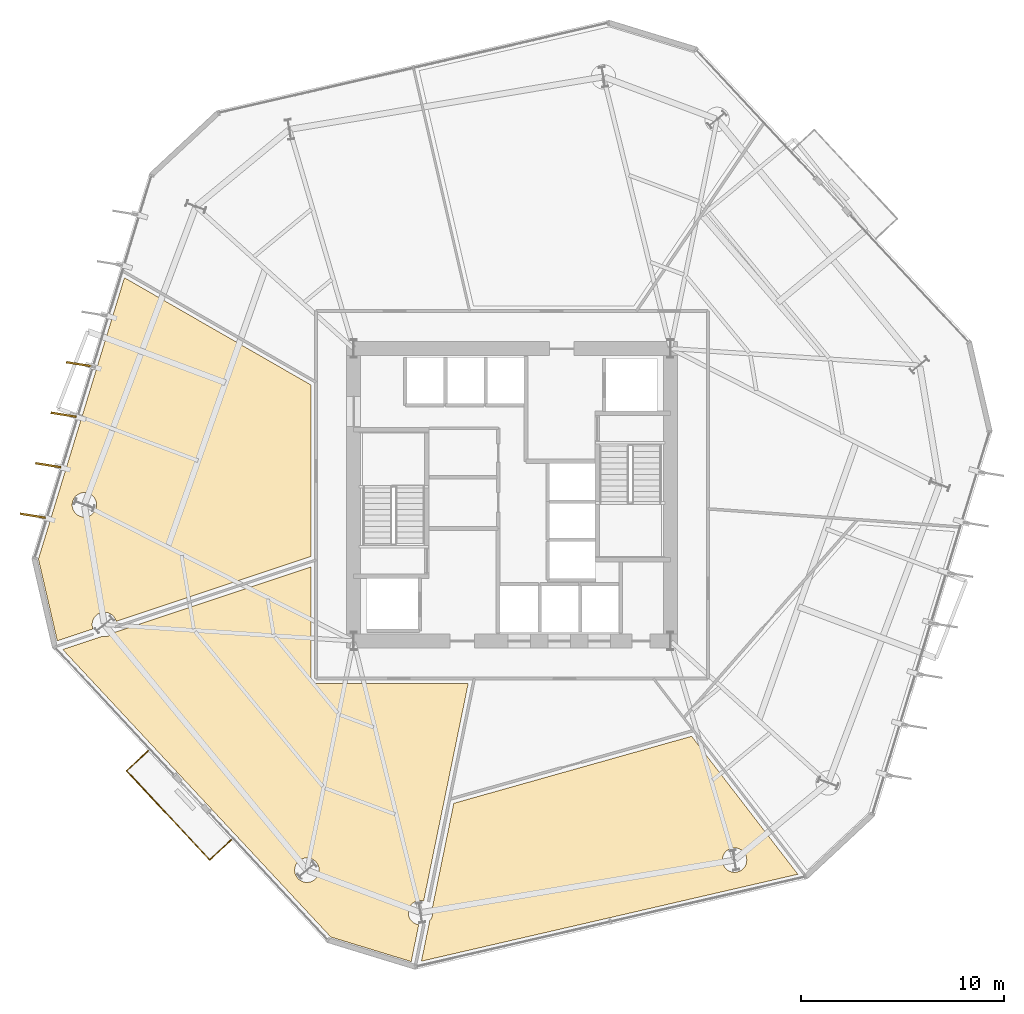
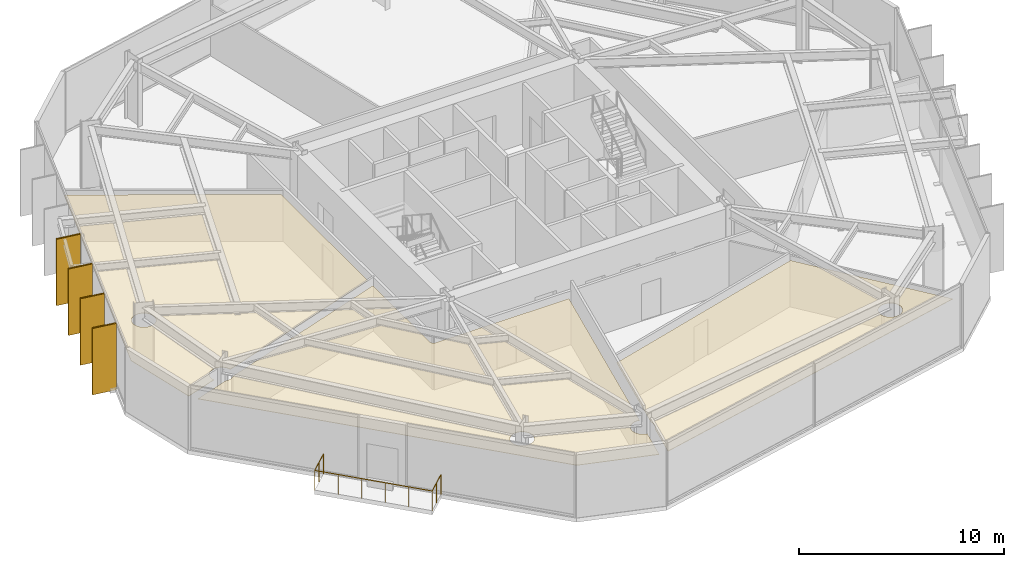
# One storey, part 8 of 10: 7 coverings, 4 shading devices, 1 railing.
"""IFC4 building model written with IfcOpenShell, lengths in metres."""

from ifc_helpers import new_model, si_unit, direction, frame, origin, origin_2d, place, context, subcontext, project, spatial, polyline, rectangle, circle, outline, extrude, material, layer, layer_set, type_object, element, save


model = new_model("IFC4")

# Units and contexts
model_context = context("Model", 3, precision=1e-05, world=origin(), true_north=direction((0.0, 1.0)))
body_context = subcontext(model_context, "Body", "Model", "MODEL_VIEW")
ifc_project = project(units=[si_unit("LENGTHUNIT", "METRE"), si_unit("AREAUNIT", "SQUARE_METRE"), si_unit("VOLUMEUNIT", "CUBIC_METRE"), si_unit("PLANEANGLEUNIT", "RADIAN"), si_unit("MASSUNIT", "GRAM", prefix="KILO")], contexts=[model_context])

# Site, building, storey
site_placement = place(None, origin())
site = spatial("IfcSite", under=ifc_project, at=site_placement, CompositionType="ELEMENT")
building_placement = place(site_placement, origin())
building = spatial("IfcBuilding", under=site, at=building_placement, Name="Kranzbogen Civic Tower", CompositionType="ELEMENT")
storey_placement = place(building_placement, frame((0.0, 0.0, 72.0)))
storey = spatial("IfcBuildingStorey", under=building, at=storey_placement, Name="L17", CompositionType="ELEMENT", Elevation=72.0)

# Coverings
ifc_material_1 = material(Name="Pale Anodised Aluminium", Category="aluminium")
ifc_layer_1 = layer(ifc_material_1, 0.02490234375, Name="Pale Anodised Aluminium")
ifc_layer_set_1 = layer_set([ifc_layer_1], Name="Pale Anodised Aluminium")
covering_type_1 = type_object("IfcCoveringType", Name="Anodised Aluminium Vertical Fin Cladding 25 mm", PredefinedType="CLADDING", material=ifc_layer_set_1)
for number, where, z_axis, x_axis, name in (
    (1, (3.678955078125, 31.428955078125, -0.139892578125), (0.0, 0.0, 1.0), (-0.987386187922, 0.158330401065, 0.0), "L17 vertical fin pale-metal cladding F3-4"),
    (2, (2.9189453125, 28.94189453125, -0.139892578125), (0.0, 0.0, 1.0), (-0.987386187922, 0.158330401065, 0.0), "L17 vertical fin pale-metal cladding F3-5"),
    (3, (2.158935546875, 26.4560546875, -0.139892578125), (0.0, 0.0, 1.0), (-0.987386187922, 0.158330401065, 0.0), "L17 vertical fin pale-metal cladding F3-6"),
    (4, (1.39892578125, 23.969970703125, -0.139892578125), (0.0, 0.0, 1.0), (-0.987386187922, 0.158330401065, 0.0), "L17 vertical fin pale-metal cladding F3-7"),
):
    element("IfcCovering", number, at=place(storey_placement, frame(where, z_axis=z_axis, x_axis=x_axis)), inside=storey, type_object=covering_type_1, Name=name, PredefinedType="CLADDING", context=body_context, shape_type="SweptSolid", body=[
        extrude(rectangle(XDim=1.25, YDim=0.10009765625, at=origin_2d()), origin(), (0.0, 0.0, 1.0), 3.9599609375),
    ])

# Shading devices
ifc_material_2 = material(Name="Anodised Bronze Aluminium", Category="aluminium")
shading_device_type = type_object("IfcShadingDeviceType", Name="Anodised Bronze Vertical Facade Fin 1250x80", PredefinedType="USERDEFINED", material=ifc_material_2)
for number, where, z_axis, x_axis, name in (
    (5, (3.678955078125, 31.428955078125, -0.139892578125), (0.0, 0.0, 1.0), (-0.987386187922, 0.158330401065, 0.0), "L17 vertical exterior shading fin F3-4"),
    (6, (2.9189453125, 28.94189453125, -0.139892578125), (0.0, 0.0, 1.0), (-0.987386187922, 0.158330401065, 0.0), "L17 vertical exterior shading fin F3-5"),
    (7, (2.158935546875, 26.4560546875, -0.139892578125), (0.0, 0.0, 1.0), (-0.987386187922, 0.158330401065, 0.0), "L17 vertical exterior shading fin F3-6"),
    (8, (1.39892578125, 23.969970703125, -0.139892578125), (0.0, 0.0, 1.0), (-0.987386187922, 0.158330401065, 0.0), "L17 vertical exterior shading fin F3-7"),
):
    element("IfcShadingDevice", number, at=place(storey_placement, frame(where, z_axis=z_axis, x_axis=x_axis)), inside=storey, type_object=shading_device_type, Name=name, ObjectType="FIN", PredefinedType="USERDEFINED", context=body_context, shape_type="SweptSolid", body=[
        extrude(rectangle(XDim=1.25, YDim=0.080078125, at=origin_2d()), origin(), (0.0, 0.0, 1.0), 3.9599609375),
    ])

# Railing
railing_type = type_object("IfcRailingType", Name="Cantilevered Balcony Glass and Bronze Balustrade 1200", PredefinedType="BALUSTRADE", material=ifc_material_2)
railing_placement = place(storey_placement, frame((7.083984375, 12.39501953125, 0.0)))
element("IfcRailing", 9, at=railing_placement, inside=storey, type_object=railing_type, Name="L17 exterior terrace balustrade L17-TB1", PredefinedType="BALUSTRADE", context=body_context, shape_type="SweptSolid", body=[
    extrude(circle(Radius=0.02392578125, at=origin_2d()), frame((0.0, 0.0, 1.17578125), z_axis=(-0.731184053678, -0.682180239854, 0.0), x_axis=(0.682180239854, -0.731184053678, 0.0)), (0.0, 0.0, 1.0), 1.44970703125),
    extrude(circle(Radius=0.02392578125, at=origin_2d()), frame((-1.06005859375, -0.989013671875, 1.17578125), z_axis=(0.682018086318, -0.731335306091, 0.0), x_axis=(0.731335306091, 0.682018086318, 0.0)), (0.0, 0.0, 1.0), 6.0),
    extrude(circle(Radius=0.02392578125, at=origin_2d()), frame((3.031982421875, -5.376953125, 1.17578125), z_axis=(0.731184053678, 0.682180239854, 0.0), x_axis=(-0.682180239854, 0.731184053678, 0.0)), (0.0, 0.0, 1.0), 1.44970703125),
    extrude(circle(Radius=0.02099609375, at=origin_2d()), origin(), (0.0, 0.0, 1.0), 1.15185546875),
    extrude(circle(Radius=0.02099609375, at=origin_2d()), frame((-0.530029296875, -0.49462890625, 0.0)), (0.0, 0.0, 1.0), 1.15185546875),
    extrude(circle(Radius=0.02099609375, at=origin_2d()), frame((-1.06005859375, -0.989013671875, 0.0)), (0.0, 0.0, 1.0), 1.15185546875),
    extrude(circle(Radius=0.02099609375, at=origin_2d()), frame((-0.24169921875, -1.86669921875, 0.0)), (0.0, 0.0, 1.0), 1.15185546875),
    extrude(circle(Radius=0.02099609375, at=origin_2d()), frame((0.57666015625, -2.744140625, 0.0)), (0.0, 0.0, 1.0), 1.15185546875),
    extrude(circle(Radius=0.02099609375, at=origin_2d()), frame((1.395263671875, -3.621826171875, 0.0)), (0.0, 0.0, 1.0), 1.15185546875),
    extrude(circle(Radius=0.02099609375, at=origin_2d()), frame((2.213623046875, -4.499267578125, 0.0)), (0.0, 0.0, 1.0), 1.15185546875),
    extrude(circle(Radius=0.02099609375, at=origin_2d()), frame((3.031982421875, -5.376953125, 0.0)), (0.0, 0.0, 1.0), 1.15185546875),
    extrude(circle(Radius=0.02099609375, at=origin_2d()), frame((3.56201171875, -4.88232421875, 0.0)), (0.0, 0.0, 1.0), 1.15185546875),
    extrude(circle(Radius=0.02099609375, at=origin_2d()), frame((4.092041015625, -4.387939453125, 0.0)), (0.0, 0.0, 1.0), 1.15185546875),
])

# Coverings
ifc_material_3 = material(Name="Perforated Acoustic Gypsum Ceiling")
ifc_layer_2 = layer(ifc_material_3, 0.02490234375, Name="Perforated Acoustic Gypsum Ceiling")
ifc_layer_set_2 = layer_set([ifc_layer_2], Name="Perforated Acoustic Gypsum Ceiling")
covering_type_2 = type_object("IfcCoveringType", Name="Perforated Acoustic Mineral Ceiling Tile 25 mm", PredefinedType="CEILING", material=ifc_layer_set_2)
covering_1_placement = place(storey_placement, frame((0.0, 0.0, 2.89990234375)))
element("IfcCovering", 10, at=covering_1_placement, inside=storey, type_object=covering_type_2, Name="L17 Visitor Concierge Foyer acoustic ceiling", PredefinedType="CEILING", context=body_context, shape_type="SweptSolid", body=[
    extrude(outline(polyline([(2.8798828125, 17.37890625), (4.81494140625, 18.02294921875), (4.868896484375, 18.014892578125), (4.927978515625, 18.011962890625), (4.987060546875, 18.014892578125), (5.044921875, 18.02392578125), (5.10302734375, 18.0380859375), (5.157958984375, 18.05810546875), (5.2119140625, 18.0830078125), (5.261962890625, 18.113037109375), (5.31005859375, 18.14892578125), (5.35400390625, 18.18798828125), (5.3720703125, 18.2080078125), (15.10498046875, 21.447998046875), (15.10498046875, 15.949951171875), (15.10498046875, 15.94091796875), (15.10595703125, 15.93505859375), (15.10693359375, 15.9169921875), (15.10791015625, 15.910888671875), (15.112060546875, 15.89404296875), (15.113037109375, 15.886962890625), (15.117919921875, 15.8701171875), (15.1201171875, 15.864013671875), (15.126953125, 15.847900390625), (15.1298828125, 15.842041015625), (15.137939453125, 15.826904296875), (15.14208984375, 15.821044921875), (15.15087890625, 15.806884765625), (15.155029296875, 15.802001953125), (15.166015625, 15.7880859375), (15.1708984375, 15.782958984375), (15.18310546875, 15.77099609375), (15.18798828125, 15.76611328125), (15.201904296875, 15.7548828125), (15.20703125, 15.7509765625), (15.220947265625, 15.741943359375), (15.22705078125, 15.738037109375), (15.241943359375, 15.72998046875), (15.248046875, 15.72705078125), (15.263916015625, 15.719970703125), (15.27001953125, 15.718017578125), (15.287109375, 15.712890625), (15.2939453125, 15.7119140625), (15.31103515625, 15.7080078125), (15.31689453125, 15.70703125), (15.3349609375, 15.7060546875), (15.341064453125, 15.705078125), (15.35009765625, 15.705078125), (22.843994140625, 15.705078125), (20.64990234375, 5.0048828125), (20.612060546875, 5.013916015625), (20.553955078125, 5.02294921875), (20.4951171875, 5.02587890625), (20.43603515625, 5.02294921875), (20.3779296875, 5.013916015625), (20.320068359375, 5.0), (20.264892578125, 4.97998046875), (20.2109375, 4.955078125), (20.160888671875, 4.925048828125), (20.113037109375, 4.888916015625), (20.069091796875, 4.85009765625), (20.030029296875, 4.805908203125), (19.993896484375, 4.758056640625), (19.964111328125, 4.7080078125), (19.93896484375, 4.654052734375), (19.9189453125, 4.59912109375), (19.905029296875, 4.541015625), (19.89599609375, 4.48291015625), (19.89306640625, 4.424072265625), (19.89599609375, 4.364990234375), (19.905029296875, 4.306884765625), (19.9189453125, 4.2490234375), (19.93896484375, 4.194091796875), (19.964111328125, 4.139892578125), (19.993896484375, 4.090087890625), (20.030029296875, 4.0419921875), (20.069091796875, 3.998046875), (20.113037109375, 3.958984375), (20.160888671875, 3.923095703125), (20.2109375, 3.89306640625), (20.264892578125, 3.867919921875), (20.320068359375, 3.847900390625), (20.3779296875, 3.833984375), (20.407958984375, 3.8291015625), (20.035888671875, 2.013916015625), (16.080078125, 3.222900390625), (2.8798828125, 17.37890625)]), holes=[polyline([(15.45703125, 6.285888671875), (15.431884765625, 6.23193359375), (15.402099609375, 6.181884765625), (15.365966796875, 6.134033203125), (15.326904296875, 6.090087890625), (15.282958984375, 6.051025390625), (15.235107421875, 6.014892578125), (15.18505859375, 5.985107421875), (15.131103515625, 5.9599609375), (15.075927734375, 5.93994140625), (15.01806640625, 5.926025390625), (14.9599609375, 5.9169921875), (14.90087890625, 5.9140625), (14.842041015625, 5.9169921875), (14.783935546875, 5.926025390625), (14.72607421875, 5.93994140625), (14.6708984375, 5.9599609375), (14.616943359375, 5.985107421875), (14.56689453125, 6.014892578125), (14.51904296875, 6.051025390625), (14.47509765625, 6.090087890625), (14.43603515625, 6.134033203125), (14.39990234375, 6.181884765625), (14.3701171875, 6.23193359375), (14.344970703125, 6.285888671875), (14.324951171875, 6.341064453125), (14.31103515625, 6.39892578125), (14.302001953125, 6.45703125), (14.299072265625, 6.51611328125), (14.302001953125, 6.574951171875), (14.31103515625, 6.633056640625), (14.324951171875, 6.69091796875), (14.344970703125, 6.74609375), (14.3701171875, 6.800048828125), (14.39990234375, 6.85009765625), (14.43603515625, 6.89794921875), (14.47509765625, 6.94189453125), (14.51904296875, 6.98095703125), (14.56689453125, 7.01708984375), (14.616943359375, 7.047119140625), (14.6708984375, 7.072021484375), (14.72607421875, 7.092041015625), (14.783935546875, 7.10595703125), (14.842041015625, 7.114990234375), (14.90087890625, 7.117919921875), (14.9599609375, 7.114990234375), (15.01806640625, 7.10595703125), (15.075927734375, 7.092041015625), (15.131103515625, 7.072021484375), (15.18505859375, 7.047119140625), (15.235107421875, 7.01708984375), (15.282958984375, 6.98095703125), (15.326904296875, 6.94189453125), (15.365966796875, 6.89794921875), (15.402099609375, 6.85009765625), (15.431884765625, 6.800048828125), (15.45703125, 6.74609375), (15.47705078125, 6.69091796875), (15.490966796875, 6.633056640625), (15.5, 6.574951171875), (15.5029296875, 6.51611328125), (15.5, 6.45703125), (15.490966796875, 6.39892578125), (15.47705078125, 6.341064453125), (15.45703125, 6.285888671875)])]), origin(), (0.0, 0.0, 1.0), 0.025146484375),
])
covering_2_placement = place(storey_placement, frame((0.0, 0.0, 2.89990234375)))
element("IfcCovering", 11, at=covering_2_placement, inside=storey, type_object=covering_type_2, Name="L17 Legal Counsel Office acoustic ceiling", PredefinedType="CEILING", context=body_context, shape_type="SweptSolid", body=[
    extrude(outline(polyline([(33.844970703125, 13.10791015625), (39.075927734375, 6.31298828125), (20.5400390625, 2.032958984375), (20.949951171875, 4.031005859375), (20.9599609375, 4.0419921875), (20.99609375, 4.090087890625), (21.02587890625, 4.139892578125), (21.051025390625, 4.194091796875), (21.071044921875, 4.2490234375), (21.0849609375, 4.306884765625), (21.093994140625, 4.364990234375), (21.096923828125, 4.424072265625), (21.093994140625, 4.48291015625), (21.0849609375, 4.541015625), (21.071044921875, 4.59912109375), (21.068115234375, 4.60693359375), (22.135009765625, 9.80810546875), (33.844970703125, 13.10791015625)]), holes=[polyline([(36.513916015625, 6.781982421875), (36.489013671875, 6.72802734375), (36.458984375, 6.677978515625), (36.423095703125, 6.6298828125), (36.384033203125, 6.5859375), (36.340087890625, 6.547119140625), (36.2919921875, 6.510986328125), (36.241943359375, 6.48095703125), (36.18798828125, 6.4560546875), (36.133056640625, 6.43603515625), (36.074951171875, 6.422119140625), (36.01708984375, 6.4130859375), (35.9580078125, 6.409912109375), (35.89892578125, 6.4130859375), (35.841064453125, 6.422119140625), (35.782958984375, 6.43603515625), (35.72802734375, 6.4560546875), (35.674072265625, 6.48095703125), (35.6240234375, 6.510986328125), (35.575927734375, 6.547119140625), (35.531982421875, 6.5859375), (35.492919921875, 6.6298828125), (35.45703125, 6.677978515625), (35.427001953125, 6.72802734375), (35.402099609375, 6.781982421875), (35.382080078125, 6.8369140625), (35.367919921875, 6.89501953125), (35.35888671875, 6.952880859375), (35.35595703125, 7.011962890625), (35.35888671875, 7.071044921875), (35.367919921875, 7.12890625), (35.382080078125, 7.18701171875), (35.402099609375, 7.241943359375), (35.427001953125, 7.2958984375), (35.45703125, 7.345947265625), (35.492919921875, 7.39404296875), (35.531982421875, 7.43798828125), (35.575927734375, 7.47705078125), (35.6240234375, 7.512939453125), (35.674072265625, 7.54296875), (35.72802734375, 7.568115234375), (35.782958984375, 7.587890625), (35.841064453125, 7.60205078125), (35.89892578125, 7.611083984375), (35.9580078125, 7.614013671875), (36.01708984375, 7.611083984375), (36.074951171875, 7.60205078125), (36.133056640625, 7.587890625), (36.18798828125, 7.568115234375), (36.241943359375, 7.54296875), (36.2919921875, 7.512939453125), (36.340087890625, 7.47705078125), (36.384033203125, 7.43798828125), (36.423095703125, 7.39404296875), (36.458984375, 7.345947265625), (36.489013671875, 7.2958984375), (36.513916015625, 7.241943359375), (36.533935546875, 7.18701171875), (36.548095703125, 7.12890625), (36.556884765625, 7.071044921875), (36.56005859375, 7.011962890625), (36.556884765625, 6.952880859375), (36.548095703125, 6.89501953125), (36.533935546875, 6.8369140625), (36.513916015625, 6.781982421875)])]), origin(), (0.0, 0.0, 1.0), 0.025146484375),
])
covering_3_placement = place(storey_placement, frame((0.0, 0.0, 2.89990234375)))
element("IfcCovering", 12, at=covering_3_placement, inside=storey, type_object=covering_type_2, Name="L17 Civic Reference Library acoustic ceiling", PredefinedType="CEILING", context=body_context, shape_type="SweptSolid", body=[
    extrude(outline(polyline([(5.916015625, 35.68603515625), (15.10498046875, 30.405029296875), (15.10498046875, 21.965087890625), (5.509033203125, 18.77001953125), (5.50390625, 18.7890625), (5.48388671875, 18.843994140625), (5.458984375, 18.89794921875), (5.428955078125, 18.947998046875), (5.39306640625, 18.99609375), (5.35400390625, 19.0400390625), (5.31005859375, 19.0791015625), (5.261962890625, 19.114990234375), (5.2119140625, 19.14501953125), (5.157958984375, 19.169921875), (5.10302734375, 19.18994140625), (5.044921875, 19.2041015625), (4.987060546875, 19.212890625), (4.927978515625, 19.216064453125), (4.868896484375, 19.212890625), (4.81103515625, 19.2041015625), (4.7529296875, 19.18994140625), (4.697998046875, 19.169921875), (4.64404296875, 19.14501953125), (4.593994140625, 19.114990234375), (4.5458984375, 19.0791015625), (4.501953125, 19.0400390625), (4.462890625, 18.99609375), (4.427001953125, 18.947998046875), (4.39697265625, 18.89794921875), (4.3720703125, 18.843994140625), (4.35205078125, 18.7890625), (4.337890625, 18.73095703125), (4.3291015625, 18.673095703125), (4.325927734375, 18.614013671875), (4.3291015625, 18.554931640625), (4.337890625, 18.4970703125), (4.35205078125, 18.43896484375), (4.368896484375, 18.39111328125), (2.611083984375, 17.805908203125), (1.680908203125, 21.8359375), (5.916015625, 35.68603515625)]), holes=[polyline([(4.4990234375, 24.27392578125), (4.47412109375, 24.219970703125), (4.444091796875, 24.169921875), (4.407958984375, 24.1220703125), (4.368896484375, 24.077880859375), (4.324951171875, 24.0390625), (4.277099609375, 24.0029296875), (4.22705078125, 23.972900390625), (4.173095703125, 23.947998046875), (4.117919921875, 23.927978515625), (4.06005859375, 23.9140625), (4.001953125, 23.905029296875), (3.943115234375, 23.902099609375), (3.884033203125, 23.905029296875), (3.825927734375, 23.9140625), (3.76806640625, 23.927978515625), (3.712890625, 23.947998046875), (3.658935546875, 23.972900390625), (3.60888671875, 24.0029296875), (3.56103515625, 24.0390625), (3.51708984375, 24.077880859375), (3.47802734375, 24.1220703125), (3.44189453125, 24.169921875), (3.412109375, 24.219970703125), (3.386962890625, 24.27392578125), (3.366943359375, 24.3291015625), (3.35302734375, 24.386962890625), (3.343994140625, 24.445068359375), (3.341064453125, 24.50390625), (3.343994140625, 24.56298828125), (3.35302734375, 24.62109375), (3.366943359375, 24.678955078125), (3.386962890625, 24.73388671875), (3.412109375, 24.7880859375), (3.44189453125, 24.837890625), (3.47802734375, 24.885986328125), (3.51708984375, 24.929931640625), (3.56103515625, 24.968994140625), (3.60888671875, 25.0048828125), (3.658935546875, 25.034912109375), (3.712890625, 25.06005859375), (3.76806640625, 25.080078125), (3.825927734375, 25.093994140625), (3.884033203125, 25.10302734375), (3.943115234375, 25.10595703125), (4.001953125, 25.10302734375), (4.06005859375, 25.093994140625), (4.117919921875, 25.080078125), (4.173095703125, 25.06005859375), (4.22705078125, 25.034912109375), (4.277099609375, 25.0048828125), (4.324951171875, 24.968994140625), (4.368896484375, 24.929931640625), (4.407958984375, 24.885986328125), (4.444091796875, 24.837890625), (4.47412109375, 24.7880859375), (4.4990234375, 24.73388671875), (4.51904296875, 24.678955078125), (4.532958984375, 24.62109375), (4.5419921875, 24.56298828125), (4.544921875, 24.50390625), (4.5419921875, 24.445068359375), (4.532958984375, 24.386962890625), (4.51904296875, 24.3291015625), (4.4990234375, 24.27392578125)])]), origin(), (0.0, 0.0, 1.0), 0.025146484375),
])

save(model, "model.ifc")
